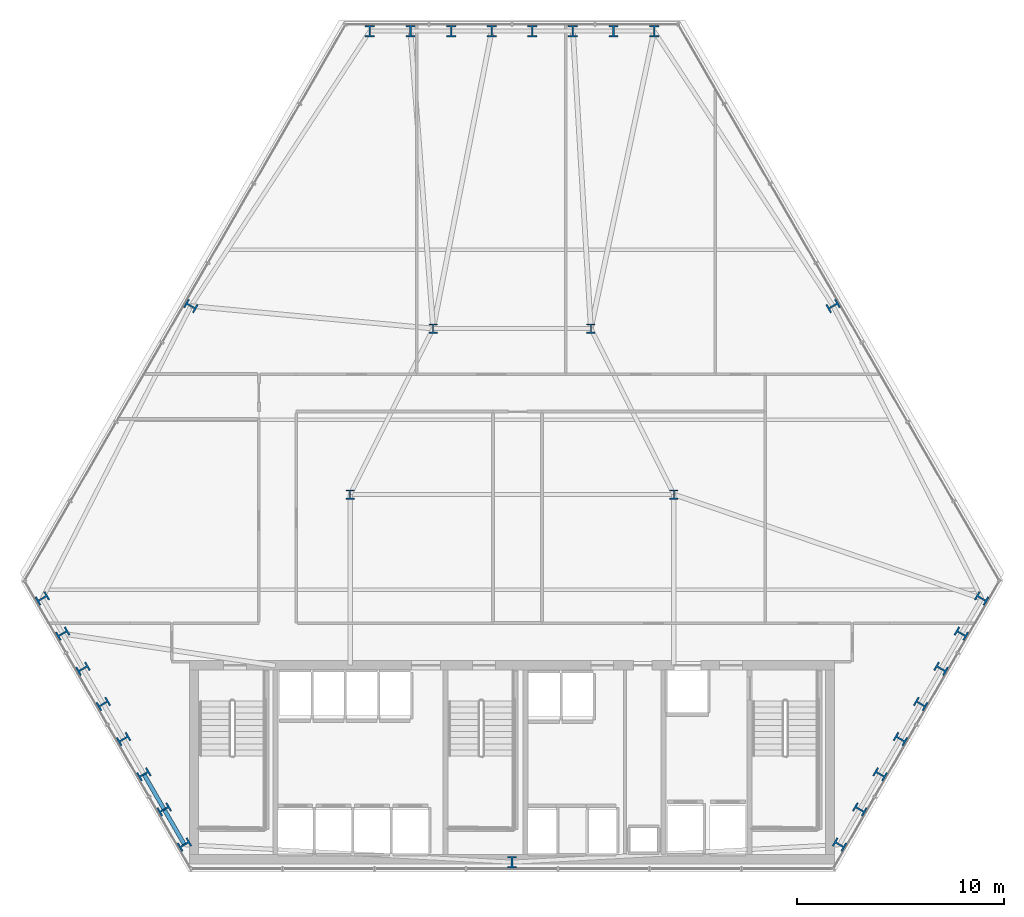
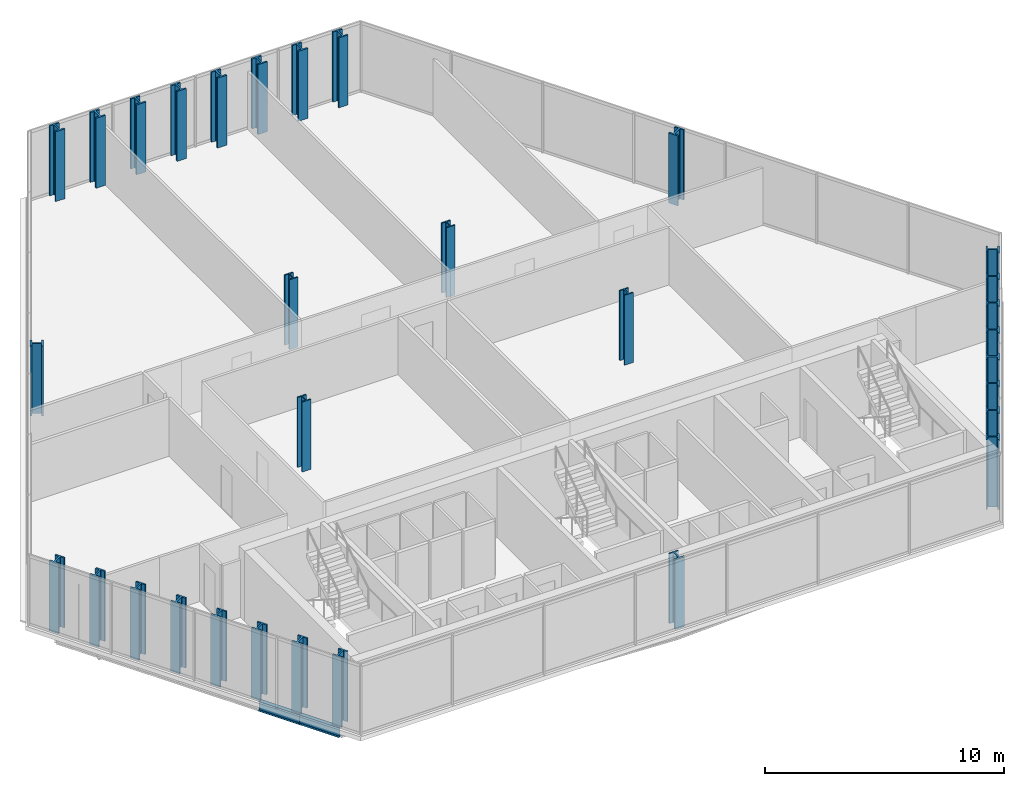
# One storey, part 1 of 32: 31 columns, 2 beams.
"""IFC4 building model written with IfcOpenShell, lengths in metres."""

from ifc_helpers import new_model, si_unit, direction, frame, origin, origin_2d, place, context, subcontext, project, spatial, i_section, extrude, material, material_profile, profile_set, type_object, element, save


model = new_model("IFC4")

# Units and contexts
model_context = context("Model", 3, precision=1e-05, world=origin(), true_north=direction((0.0, 1.0)))
body_context = subcontext(model_context, "Body", "Model", "MODEL_VIEW")
ifc_project = project(units=[si_unit("LENGTHUNIT", "METRE"), si_unit("AREAUNIT", "SQUARE_METRE"), si_unit("VOLUMEUNIT", "CUBIC_METRE"), si_unit("PLANEANGLEUNIT", "RADIAN"), si_unit("MASSUNIT", "GRAM", prefix="KILO")], contexts=[model_context])

# Site, building, storey
site_placement = place(None, origin())
site = spatial("IfcSite", under=ifc_project, at=site_placement, CompositionType="ELEMENT")
building_placement = place(site_placement, origin())
building = spatial("IfcBuilding", under=site, at=building_placement, Name="Ndaravel Arena Tower", CompositionType="ELEMENT")
storey_placement = place(building_placement, frame((0.0, 0.0, 47.39990234375)))
storey = spatial("IfcBuildingStorey", under=building, at=storey_placement, Name="L09", CompositionType="ELEMENT", Elevation=47.39990234375)

# Columns
ifc_material_1 = material(Name="Steel S460", Category="steel")
ifc_material_profile_1 = material_profile(ifc_material_1, i_section(OverallWidth=0.41845703125, OverallDepth=0.45556640625, WebThickness=0.0419921875, FlangeThickness=0.0673828125, FilletRadius=0.01513671875, at=origin_2d()), Name="UC 356x406x551")
ifc_profile_set_1 = profile_set([ifc_material_profile_1], Name="Steel S460")
column_type_1 = type_object("IfcColumnType", Name="COL-INT-UC551", PredefinedType="COLUMN", material=ifc_profile_set_1)
for number, where, z_axis, x_axis, name in (
    (1, (34.199951171875, 23.199951171875, 0.0), (0.0, 0.0, 1.0), (1.0, 0.0, 0.0), "L09 Interior Spine Column IC-01"),
    (2, (49.800048828125, 23.199951171875, 0.0), (0.0, 0.0, 1.0), (1.0, 0.0, 0.0), "L09 Interior Spine Column IC-02"),
    (3, (38.199951171875, 31.199951171875, 0.0), (0.0, 0.0, 1.0), (1.0, 0.0, 0.0), "L09 Interior Spine Column IC-03"),
    (4, (45.800048828125, 31.199951171875, 0.0), (0.0, 0.0, 1.0), (1.0, 0.0, 0.0), "L09 Interior Spine Column IC-04"),
):
    element("IfcColumn", number, at=place(storey_placement, frame(where, z_axis=z_axis, x_axis=x_axis)), inside=storey, type_object=column_type_1, Name=name, PredefinedType="COLUMN", context=body_context, shape_type="SweptSolid", body=[
        extrude(i_section(OverallWidth=0.41845703125, OverallDepth=0.45556640625, WebThickness=0.0419921875, FlangeThickness=0.0673828125, FilletRadius=0.01513671875, at=origin_2d()), origin(), (0.0, 0.0, 1.0), 3.580078125),
    ])
ifc_material_2 = material(Name="Steel S460", Category="steel")
ifc_material_profile_2 = material_profile(ifc_material_2, i_section(OverallWidth=0.4541015625, OverallDepth=0.569091796875, WebThickness=0.077880859375, FlangeThickness=0.080078125, FilletRadius=0.014892578125, at=origin_2d()), Name="HD 400x1086")
ifc_profile_set_2 = profile_set([ifc_material_profile_2], Name="Steel S460")
column_type_2 = type_object("IfcColumnType", Name="COL-TUBE-HD1086", PredefinedType="COLUMN", material=ifc_profile_set_2)
for number, where, z_axis, x_axis, name in (
    (5, (42.0, 5.47998046875, 0.0), (0.0, 0.0, 1.0), (1.0, 0.0, 0.0), "L09 Framed Tube Column TC-01"),
    (6, (57.784423828125, 6.327392578125, 0.0), (0.0, 0.0, 1.0), (0.5, 0.866025403784, 0.0), "L09 Framed Tube Column TC-02"),
    (7, (58.762939453125, 8.0224609375, 0.0), (0.0, 0.0, 1.0), (0.5, 0.866025403784, 0.0), "L09 Framed Tube Column TC-03"),
    (8, (59.74169921875, 9.71728515625, 0.0), (0.0, 0.0, 1.0), (0.5, 0.866025403784, 0.0), "L09 Framed Tube Column TC-04"),
    (9, (60.72021484375, 11.412353515625, 0.0), (0.0, 0.0, 1.0), (0.5, 0.866025403784, 0.0), "L09 Framed Tube Column TC-05"),
    (10, (61.69873046875, 13.107177734375, 0.0), (0.0, 0.0, 1.0), (0.5, 0.866025403784, 0.0), "L09 Framed Tube Column TC-06"),
    (11, (62.67724609375, 14.80224609375, 0.0), (0.0, 0.0, 1.0), (0.5, 0.866025403784, 0.0), "L09 Framed Tube Column TC-07"),
    (12, (63.656005859375, 16.4970703125, 0.0), (0.0, 0.0, 1.0), (0.5, 0.866025403784, 0.0), "L09 Framed Tube Column TC-08"),
    (13, (64.634521484375, 18.19189453125, 0.0), (0.0, 0.0, 1.0), (0.5, 0.866025403784, 0.0), "L09 Framed Tube Column TC-09"),
    (14, (57.476318359375, 32.285400390625, 0.0), (0.0, 0.0, 1.0), (-0.5, 0.866025403784, 0.0), "L09 Framed Tube Column TC-10"),
    (15, (48.85009765625, 45.531494140625, 0.0), (0.0, 0.0, 1.0), (1.0, 0.0, 0.0), "L09 Framed Tube Column TC-11"),
    (16, (46.892822265625, 45.531494140625, 0.0), (0.0, 0.0, 1.0), (1.0, 0.0, 0.0), "L09 Framed Tube Column TC-12"),
    (17, (44.935791015625, 45.531494140625, 0.0), (0.0, 0.0, 1.0), (1.0, 0.0, 0.0), "L09 Framed Tube Column TC-13"),
    (18, (42.978515625, 45.531494140625, 0.0), (0.0, 0.0, 1.0), (1.0, 0.0, 0.0), "L09 Framed Tube Column TC-14"),
    (19, (41.021484375, 45.531494140625, 0.0), (0.0, 0.0, 1.0), (1.0, 0.0, 0.0), "L09 Framed Tube Column TC-15"),
    (20, (39.064208984375, 45.531494140625, 0.0), (0.0, 0.0, 1.0), (1.0, 0.0, 0.0), "L09 Framed Tube Column TC-16"),
    (21, (37.107177734375, 45.531494140625, 0.0), (0.0, 0.0, 1.0), (1.0, 0.0, 0.0), "L09 Framed Tube Column TC-17"),
    (22, (35.14990234375, 45.531494140625, 0.0), (0.0, 0.0, 1.0), (1.0, 0.0, 0.0), "L09 Framed Tube Column TC-18"),
    (23, (26.523681640625, 32.285400390625, 0.0), (0.0, 0.0, 1.0), (0.5, 0.866025403784, 0.0), "L09 Framed Tube Column TC-19"),
    (24, (19.365478515625, 18.19189453125, 0.0), (0.0, 0.0, 1.0), (-0.5, 0.866025403784, 0.0), "L09 Framed Tube Column TC-20"),
    (25, (20.343994140625, 16.4970703125, 0.0), (0.0, 0.0, 1.0), (-0.5, 0.866025403784, 0.0), "L09 Framed Tube Column TC-21"),
    (26, (21.32275390625, 14.80224609375, 0.0), (0.0, 0.0, 1.0), (-0.5, 0.866025403784, 0.0), "L09 Framed Tube Column TC-22"),
    (27, (22.30126953125, 13.107177734375, 0.0), (0.0, 0.0, 1.0), (-0.5, 0.866025403784, 0.0), "L09 Framed Tube Column TC-23"),
    (28, (23.27978515625, 11.412353515625, 0.0), (0.0, 0.0, 1.0), (-0.5, 0.866025403784, 0.0), "L09 Framed Tube Column TC-24"),
    (29, (24.25830078125, 9.71728515625, 0.0), (0.0, 0.0, 1.0), (-0.5, 0.866025403784, 0.0), "L09 Framed Tube Column TC-25"),
    (30, (25.237060546875, 8.0224609375, 0.0), (0.0, 0.0, 1.0), (-0.5, 0.866025403784, 0.0), "L09 Framed Tube Column TC-26"),
    (31, (26.215576171875, 6.327392578125, 0.0), (0.0, 0.0, 1.0), (-0.5, 0.866025403784, 0.0), "L09 Framed Tube Column TC-27"),
):
    element("IfcColumn", number, at=place(storey_placement, frame(where, z_axis=z_axis, x_axis=x_axis)), inside=storey, type_object=column_type_2, Name=name, PredefinedType="COLUMN", context=body_context, shape_type="SweptSolid", body=[
        extrude(i_section(OverallWidth=0.4541015625, OverallDepth=0.569091796875, WebThickness=0.077880859375, FlangeThickness=0.080078125, FilletRadius=0.014892578125, at=origin_2d()), origin(), (0.0, 0.0, 1.0), 3.580078125),
    ])

# Beams
ifc_material_3 = material(Name="Steel S355", Category="steel")
ifc_material_profile_3 = material_profile(ifc_material_3, i_section(OverallWidth=0.199951171875, OverallDepth=0.5, WebThickness=0.01025390625, FlangeThickness=0.01611328125, FilletRadius=0.02099609375, at=origin_2d()), Name="IPE 500")
ifc_profile_set_3 = profile_set([ifc_material_profile_3], Name="Steel S355")
beam_type = type_object("IfcBeamType", Name="BM-SPAN-IPE500", PredefinedType="SPANDREL", material=ifc_profile_set_3)
beam_1_placement = place(storey_placement, frame((24.25830078125, 9.71728515625, -0.469970703125), z_axis=(0.500096775829, -0.865969523024, 0.0), x_axis=(0.865969523024, 0.500096775829, 0.0)))
element("IfcBeam", 32, at=beam_1_placement, inside=storey, type_object=beam_type, Name="L09 Perimeter Spandrel Beam SP-25", PredefinedType="SPANDREL", context=body_context, shape_type="SweptSolid", body=[
    extrude(i_section(OverallWidth=0.199951171875, OverallDepth=0.5, WebThickness=0.01025390625, FlangeThickness=0.01611328125, FilletRadius=0.02099609375, at=origin_2d()), origin(), (0.0, 0.0, 1.0), 1.95703125),
])
beam_2_placement = place(storey_placement, frame((25.237060546875, 8.0224609375, -0.469970703125), z_axis=(0.49994920724, -0.866054727012, 0.0), x_axis=(0.866054727012, 0.49994920724, 0.0)))
element("IfcBeam", 33, at=beam_2_placement, inside=storey, type_object=beam_type, Name="L09 Perimeter Spandrel Beam SP-26", PredefinedType="SPANDREL", context=body_context, shape_type="SweptSolid", body=[
    extrude(i_section(OverallWidth=0.199951171875, OverallDepth=0.5, WebThickness=0.01025390625, FlangeThickness=0.01611328125, FilletRadius=0.02099609375, at=origin_2d()), origin(), (0.0, 0.0, 1.0), 1.957275390625),
])

save(model, "model.ifc")
